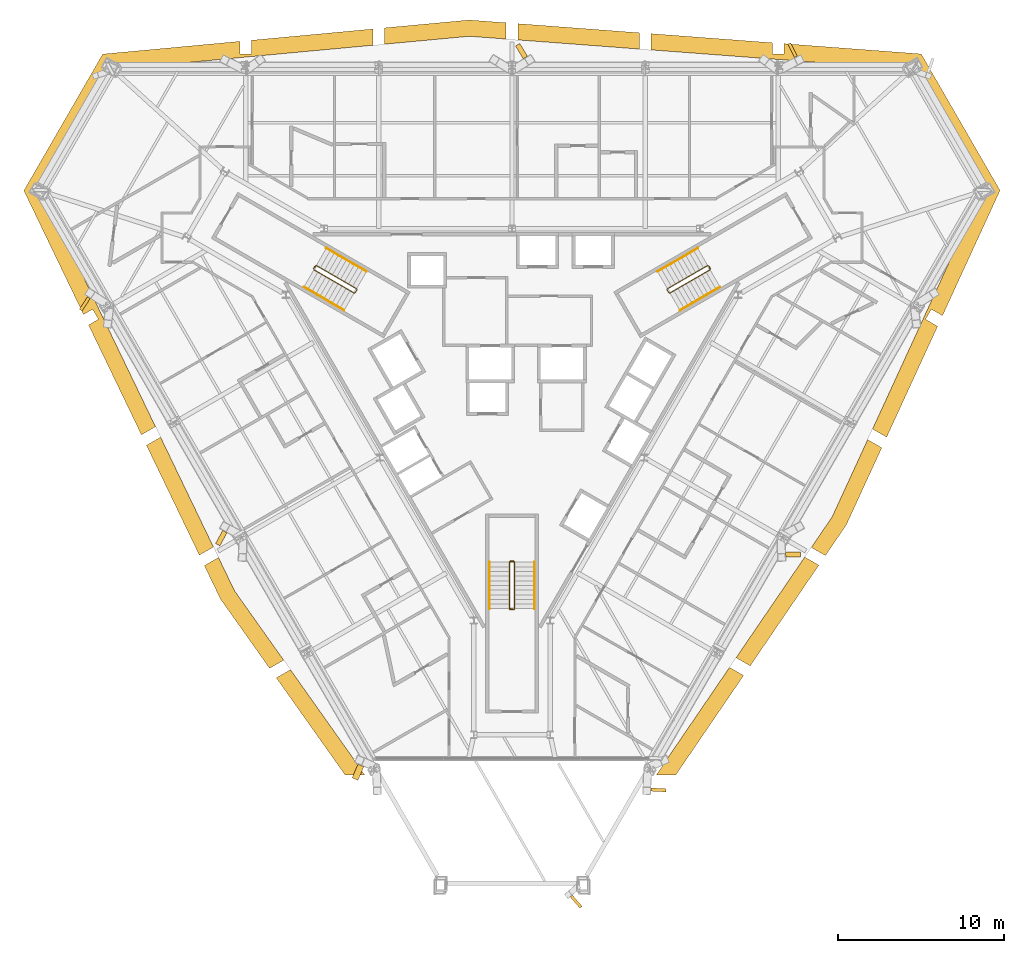
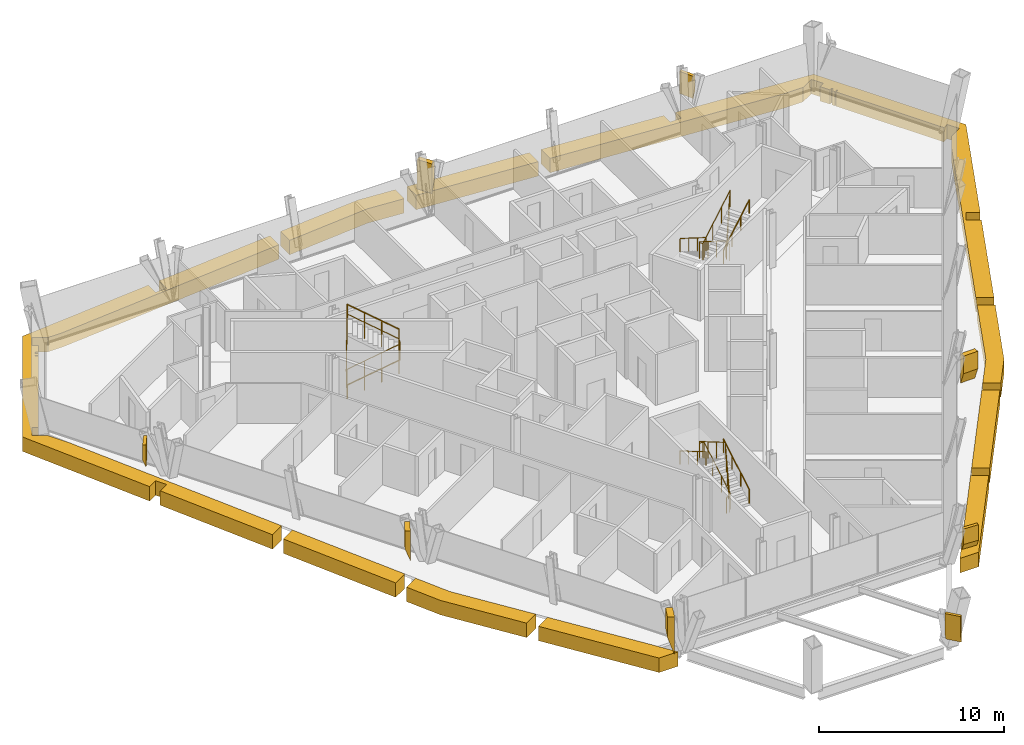
# One storey, part 14 of 15: 18 coverings, 9 railings.
"""IFC4 building model written with IfcOpenShell, lengths in metres."""

from ifc_helpers import new_model, si_unit, direction, frame, origin, origin_2d, place, context, subcontext, project, spatial, polyline, circle, outline, extrude, material, layer, layer_set, type_object, element, save


model = new_model("IFC4")

# Units and contexts
model_context = context("Model", 3, precision=1e-05, world=origin(), true_north=direction((0.0, 1.0)))
body_context = subcontext(model_context, "Body", "Model", "MODEL_VIEW")
ifc_project = project(units=[si_unit("LENGTHUNIT", "METRE"), si_unit("AREAUNIT", "SQUARE_METRE"), si_unit("VOLUMEUNIT", "CUBIC_METRE"), si_unit("PLANEANGLEUNIT", "RADIAN"), si_unit("MASSUNIT", "GRAM", prefix="KILO")], contexts=[model_context])

# Site, building, storey
site_placement = place(None, origin())
site = spatial("IfcSite", under=ifc_project, at=site_placement, CompositionType="ELEMENT")
building_placement = place(site_placement, origin())
building = spatial("IfcBuilding", under=site, at=building_placement, Name="Verrane Prism Tower", CompositionType="ELEMENT")
storey_placement = place(building_placement, frame((0.0, 0.0, 118.0)))
storey = spatial("IfcBuildingStorey", under=building, at=storey_placement, Name="L28", CompositionType="ELEMENT", Elevation=118.0)

# Railings
ifc_material_1 = material(Name="Steel A36 rail and posts, no infill", Category="steel")
railing_type_1 = type_object("IfcRailingType", Name="Stair guard 1100 steel rail and posts", PredefinedType="GUARDRAIL", material=ifc_material_1)
railing_1_placement = place(storey_placement, frame((11.78955078125, 6.97998046875, 0.16357421875)))
element("IfcRailing", 1, at=railing_1_placement, inside=storey, type_object=railing_type_1, Name="Stair 1 guard", PredefinedType="GUARDRAIL", context=body_context, shape_type="SweptSolid", body=[
    extrude(circle(Radius=0.02392578125, at=origin_2d()), frame((0.0, 0.0, 1.076171875), z_axis=(-0.747665513933, -0.431721881032, 0.504591415616), x_axis=(0.500049511043, -0.865996816683, 0.0)), (0.0, 0.0, 1.0), 3.2431640625),
    extrude(circle(Radius=0.02392578125, at=origin_2d()), frame((-2.4248046875, -1.400146484375, 2.71240234375), z_axis=(-0.259601060869, -0.965715946433, 0.0), x_axis=(0.965715946433, -0.259601060869, 0.0)), (0.0, 0.0, 1.0), 0.070556640625),
    extrude(circle(Radius=0.02392578125, at=origin_2d()), frame((-2.443115234375, -1.46826171875, 2.71240234375), z_axis=(0.499158860599, -0.866510491504, 0.0), x_axis=(0.866510491504, 0.499158860599, 0.0)), (0.0, 0.0, 1.0), 0.199951171875),
    extrude(circle(Radius=0.02392578125, at=origin_2d()), frame((-2.34326171875, -1.6416015625, 2.71240234375), z_axis=(0.383552647116, -0.102737316192, 0.917786691313), x_axis=(0.258736085224, 0.965948051503, 0.0)), (0.0, 0.0, 1.0), 0.17822265625),
    extrude(circle(Radius=0.02392578125, at=origin_2d()), frame((-2.27490234375, -1.659912109375, 2.8759765625), z_axis=(0.747665513933, 0.431721881032, 0.504591415616), x_axis=(-0.500049511043, 0.865996816683, 0.0)), (0.0, 0.0, 1.0), 3.2431640625),
    extrude(circle(Radius=0.02392578125, at=origin_2d()), frame((0.14990234375, -0.259765625, 4.5126953125), z_axis=(-0.022593669287, 0.066901613547, -0.997503734436), x_axis=(-0.947430582667, -0.3199613899, 0.0)), (0.0, 0.0, 1.0), 3.609130859375),
    extrude(circle(Radius=0.02392578125, at=origin_2d()), frame((0.068359375, -0.018310546875, 0.91259765625), z_axis=(0.499158860599, -0.866510491504, 0.0), x_axis=(0.866510491504, 0.499158860599, 0.0)), (0.0, 0.0, 1.0), 0.199951171875),
    extrude(circle(Radius=0.02099609375, at=origin_2d()), origin(), (0.0, 0.0, 1.0), 1.052001953125),
    extrude(circle(Radius=0.02099609375, at=origin_2d()), frame((-0.808349609375, -0.466796875, 0.54541015625)), (0.0, 0.0, 1.0), 1.052001953125),
    extrude(circle(Radius=0.02099609375, at=origin_2d()), frame((-1.616455078125, -0.933349609375, 1.091064453125)), (0.0, 0.0, 1.0), 1.052001953125),
    extrude(circle(Radius=0.02099609375, at=origin_2d()), frame((-2.4248046875, -1.400146484375, 1.636474609375)), (0.0, 0.0, 1.0), 1.052001953125),
    extrude(circle(Radius=0.02099609375, at=origin_2d()), frame((-2.443115234375, -1.46826171875, 1.636474609375)), (0.0, 0.0, 1.0), 1.052001953125),
    extrude(circle(Radius=0.02099609375, at=origin_2d()), frame((-2.34326171875, -1.6416015625, 1.636474609375)), (0.0, 0.0, 1.0), 1.052001953125),
    extrude(circle(Radius=0.02099609375, at=origin_2d()), frame((-2.27490234375, -1.659912109375, 1.800048828125)), (0.0, 0.0, 1.0), 1.052001953125),
    extrude(circle(Radius=0.02099609375, at=origin_2d()), frame((-1.466552734375, -1.193115234375, 2.345458984375)), (0.0, 0.0, 1.0), 1.052001953125),
    extrude(circle(Radius=0.02099609375, at=origin_2d()), frame((-0.658447265625, -0.7265625, 2.89111328125)), (0.0, 0.0, 1.0), 1.052001953125),
    extrude(circle(Radius=0.02099609375, at=origin_2d()), frame((0.14990234375, -0.259765625, 3.4365234375)), (0.0, 0.0, 1.0), 1.052001953125),
    extrude(circle(Radius=0.02099609375, at=origin_2d()), frame((0.12939453125, -0.199462890625, 2.53662109375)), (0.0, 0.0, 1.0), 1.052001953125),
    extrude(circle(Radius=0.02099609375, at=origin_2d()), frame((0.109130859375, -0.13916015625, 1.636474609375)), (0.0, 0.0, 1.0), 1.052001953125),
    extrude(circle(Radius=0.02099609375, at=origin_2d()), frame((0.0888671875, -0.07861328125, 0.736328125)), (0.0, 0.0, 1.0), 1.052001953125),
    extrude(circle(Radius=0.02099609375, at=origin_2d()), frame((0.068359375, -0.018310546875, -0.16357421875)), (0.0, 0.0, 1.0), 1.052001953125),
    extrude(circle(Radius=0.02099609375, at=origin_2d()), frame((0.168212890625, -0.191650390625, -0.16357421875)), (0.0, 0.0, 1.0), 1.052001953125),
])
railing_2_placement = place(storey_placement, frame((-11.939453125, 6.72021484375, 0.16357421875)))
element("IfcRailing", 2, at=railing_2_placement, inside=storey, type_object=railing_type_1, Name="Stair 2 guard", PredefinedType="GUARDRAIL", context=body_context, shape_type="SweptSolid", body=[
    extrude(circle(Radius=0.02392578125, at=origin_2d()), frame((0.0, 0.0, 1.076171875), z_axis=(0.747665513933, -0.431721881032, 0.504591415616), x_axis=(0.500049511043, 0.865996816683, 0.0)), (0.0, 0.0, 1.0), 3.2431640625),
    extrude(circle(Radius=0.02392578125, at=origin_2d()), frame((2.4248046875, -1.400146484375, 2.71240234375), z_axis=(0.965948051503, 0.258736085224, 0.0), x_axis=(-0.258736085224, 0.965948051503, 0.0)), (0.0, 0.0, 1.0), 0.07080078125),
    extrude(circle(Radius=0.02392578125, at=origin_2d()), frame((2.4931640625, -1.3818359375, 2.71240234375), z_axis=(0.499158860599, 0.866510491504, 0.0), x_axis=(-0.866510491504, 0.499158860599, 0.0)), (0.0, 0.0, 1.0), 0.199951171875),
    extrude(circle(Radius=0.02392578125, at=origin_2d()), frame((2.593017578125, -1.20849609375, 2.71240234375), z_axis=(-0.102791240646, 0.382383415203, 0.918268416436), x_axis=(-0.965715946433, -0.259601060869, 0.0)), (0.0, 0.0, 1.0), 0.17822265625),
    extrude(circle(Radius=0.02392578125, at=origin_2d()), frame((2.57470703125, -1.140380859375, 2.8759765625), z_axis=(-0.747665513933, 0.431721881032, 0.504591415616), x_axis=(-0.500049511043, -0.865996816683, 0.0)), (0.0, 0.0, 1.0), 3.2431640625),
    extrude(circle(Radius=0.02392578125, at=origin_2d()), frame((0.14990234375, 0.259765625, 4.5126953125), z_axis=(-0.046607763296, -0.053101733218, -0.99750083826), x_axis=(0.751567565678, -0.659656118156, 0.0)), (0.0, 0.0, 1.0), 3.609130859375),
    extrude(circle(Radius=0.02392578125, at=origin_2d()), frame((-0.018310546875, 0.068115234375, 0.91259765625), z_axis=(0.499158860599, 0.866510491504, 0.0), x_axis=(-0.866510491504, 0.499158860599, 0.0)), (0.0, 0.0, 1.0), 0.199951171875),
    extrude(circle(Radius=0.02099609375, at=origin_2d()), origin(), (0.0, 0.0, 1.0), 1.052001953125),
    extrude(circle(Radius=0.02099609375, at=origin_2d()), frame((0.808349609375, -0.466796875, 0.54541015625)), (0.0, 0.0, 1.0), 1.052001953125),
    extrude(circle(Radius=0.02099609375, at=origin_2d()), frame((1.616455078125, -0.933349609375, 1.091064453125)), (0.0, 0.0, 1.0), 1.052001953125),
    extrude(circle(Radius=0.02099609375, at=origin_2d()), frame((2.4248046875, -1.400146484375, 1.636474609375)), (0.0, 0.0, 1.0), 1.052001953125),
    extrude(circle(Radius=0.02099609375, at=origin_2d()), frame((2.4931640625, -1.3818359375, 1.636474609375)), (0.0, 0.0, 1.0), 1.052001953125),
    extrude(circle(Radius=0.02099609375, at=origin_2d()), frame((2.593017578125, -1.20849609375, 1.636474609375)), (0.0, 0.0, 1.0), 1.052001953125),
    extrude(circle(Radius=0.02099609375, at=origin_2d()), frame((2.57470703125, -1.140380859375, 1.800048828125)), (0.0, 0.0, 1.0), 1.052001953125),
    extrude(circle(Radius=0.02099609375, at=origin_2d()), frame((1.766357421875, -0.673583984375, 2.345458984375)), (0.0, 0.0, 1.0), 1.052001953125),
    extrude(circle(Radius=0.02099609375, at=origin_2d()), frame((0.958251953125, -0.20703125, 2.89111328125)), (0.0, 0.0, 1.0), 1.052001953125),
    extrude(circle(Radius=0.02099609375, at=origin_2d()), frame((0.14990234375, 0.259765625, 3.4365234375)), (0.0, 0.0, 1.0), 1.052001953125),
    extrude(circle(Radius=0.02099609375, at=origin_2d()), frame((0.10791015625, 0.2119140625, 2.53662109375)), (0.0, 0.0, 1.0), 1.052001953125),
    extrude(circle(Radius=0.02099609375, at=origin_2d()), frame((0.06591796875, 0.1640625, 1.636474609375)), (0.0, 0.0, 1.0), 1.052001953125),
    extrude(circle(Radius=0.02099609375, at=origin_2d()), frame((0.023681640625, 0.115966796875, 0.736328125)), (0.0, 0.0, 1.0), 1.052001953125),
    extrude(circle(Radius=0.02099609375, at=origin_2d()), frame((-0.018310546875, 0.068115234375, -0.16357421875)), (0.0, 0.0, 1.0), 1.052001953125),
    extrude(circle(Radius=0.02099609375, at=origin_2d()), frame((0.08154296875, 0.241455078125, -0.16357421875)), (0.0, 0.0, 1.0), 1.052001953125),
])
railing_3_placement = place(storey_placement, frame((0.14990234375, -13.699951171875, 0.16357421875)))
element("IfcRailing", 3, at=railing_3_placement, inside=storey, type_object=railing_type_1, Name="Stair 3 guard", PredefinedType="GUARDRAIL", context=body_context, shape_type="SweptSolid", body=[
    extrude(circle(Radius=0.02392578125, at=origin_2d()), frame((0.0, 0.0, 1.076171875), z_axis=(0.0, 0.863360870873, 0.504586966384), x_axis=(-1.0, 0.0, 0.0)), (0.0, 0.0, 1.0), 3.2431640625),
    extrude(circle(Radius=0.02392578125, at=origin_2d()), frame((0.0, 2.800048828125, 2.71240234375), z_axis=(-0.707106781187, 0.707106781187, 0.0), x_axis=(-0.707106781187, -0.707106781187, 0.0)), (0.0, 0.0, 1.0), 0.0703125),
    extrude(circle(Radius=0.02392578125, at=origin_2d()), frame((-0.0498046875, 2.849853515625, 2.71240234375), z_axis=(-1.0, 0.0, 0.0), x_axis=(0.0, -1.0, 0.0)), (0.0, 0.0, 1.0), 0.2001953125),
    extrude(circle(Radius=0.02392578125, at=origin_2d()), frame((-0.25, 2.849853515625, 2.71240234375), z_axis=(-0.279653641804, -0.279653641804, 0.918470294159), x_axis=(0.707106781187, -0.707106781187, 0.0)), (0.0, 0.0, 1.0), 0.177978515625),
    extrude(circle(Radius=0.02392578125, at=origin_2d()), frame((-0.2998046875, 2.800048828125, 2.8759765625), z_axis=(0.0, -0.863360870873, 0.504586966384), x_axis=(1.0, 0.0, 0.0)), (0.0, 0.0, 1.0), 3.2431640625),
    extrude(circle(Radius=0.02392578125, at=origin_2d()), frame((-0.2998046875, 0.0, 4.5126953125), z_axis=(0.069269067181, -0.013867342551, -0.997501625634), x_axis=(0.196300278283, 0.98054382908, 0.0)), (0.0, 0.0, 1.0), 3.609130859375),
    extrude(circle(Radius=0.02392578125, at=origin_2d()), frame((-0.0498046875, -0.050048828125, 0.91259765625), z_axis=(-1.0, 0.0, 0.0), x_axis=(0.0, -1.0, 0.0)), (0.0, 0.0, 1.0), 0.2001953125),
    extrude(circle(Radius=0.02099609375, at=origin_2d()), origin(), (0.0, 0.0, 1.0), 1.052001953125),
    extrude(circle(Radius=0.02099609375, at=origin_2d()), frame((0.0, 0.933349609375, 0.54541015625)), (0.0, 0.0, 1.0), 1.052001953125),
    extrude(circle(Radius=0.02099609375, at=origin_2d()), frame((0.0, 1.86669921875, 1.091064453125)), (0.0, 0.0, 1.0), 1.052001953125),
    extrude(circle(Radius=0.02099609375, at=origin_2d()), frame((0.0, 2.800048828125, 1.636474609375)), (0.0, 0.0, 1.0), 1.052001953125),
    extrude(circle(Radius=0.02099609375, at=origin_2d()), frame((-0.0498046875, 2.849853515625, 1.636474609375)), (0.0, 0.0, 1.0), 1.052001953125),
    extrude(circle(Radius=0.02099609375, at=origin_2d()), frame((-0.25, 2.849853515625, 1.636474609375)), (0.0, 0.0, 1.0), 1.052001953125),
    extrude(circle(Radius=0.02099609375, at=origin_2d()), frame((-0.2998046875, 2.800048828125, 1.800048828125)), (0.0, 0.0, 1.0), 1.052001953125),
    extrude(circle(Radius=0.02099609375, at=origin_2d()), frame((-0.2998046875, 1.86669921875, 2.345458984375)), (0.0, 0.0, 1.0), 1.052001953125),
    extrude(circle(Radius=0.02099609375, at=origin_2d()), frame((-0.2998046875, 0.933349609375, 2.89111328125)), (0.0, 0.0, 1.0), 1.052001953125),
    extrude(circle(Radius=0.02099609375, at=origin_2d()), frame((-0.2998046875, 0.0, 3.4365234375)), (0.0, 0.0, 1.0), 1.052001953125),
    extrude(circle(Radius=0.02099609375, at=origin_2d()), frame((-0.2373046875, -0.012451171875, 2.53662109375)), (0.0, 0.0, 1.0), 1.052001953125),
    extrude(circle(Radius=0.02099609375, at=origin_2d()), frame((-0.1748046875, -0.02490234375, 1.636474609375)), (0.0, 0.0, 1.0), 1.052001953125),
    extrude(circle(Radius=0.02099609375, at=origin_2d()), frame((-0.1123046875, -0.03759765625, 0.736328125)), (0.0, 0.0, 1.0), 1.052001953125),
    extrude(circle(Radius=0.02099609375, at=origin_2d()), frame((-0.0498046875, -0.050048828125, -0.16357421875)), (0.0, 0.0, 1.0), 1.052001953125),
    extrude(circle(Radius=0.02099609375, at=origin_2d()), frame((-0.25, -0.050048828125, -0.16357421875)), (0.0, 0.0, 1.0), 1.052001953125),
])
ifc_material_2 = material(Name="Steel A36 tube", Category="steel")
railing_type_2 = type_object("IfcRailingType", Name="Stair handrail 900 steel tube", PredefinedType="HANDRAIL", material=ifc_material_2)
railing_4_placement = place(storey_placement, frame((11.189453125, 8.01904296875, 0.16357421875)))
element("IfcRailing", 4, at=railing_4_placement, inside=storey, type_object=railing_type_2, Name="Stair 1 handrail", PredefinedType="HANDRAIL", context=body_context, shape_type="SweptSolid", body=[
    extrude(circle(Radius=0.02392578125, at=origin_2d()), frame((0.0, 0.0, 0.8759765625), z_axis=(-0.747689811644, -0.431660630283, 0.504607813879), x_axis=(0.49998411664, -0.866034573852, 0.0)), (0.0, 0.0, 1.0), 3.2431640625),
    extrude(circle(Radius=0.02099609375, at=origin_2d()), origin(), (0.0, 0.0, 1.0), 0.851806640625),
    extrude(circle(Radius=0.02099609375, at=origin_2d()), frame((-0.808349609375, -0.466552734375, 0.54541015625)), (0.0, 0.0, 1.0), 0.851806640625),
    extrude(circle(Radius=0.02099609375, at=origin_2d()), frame((-1.616455078125, -0.933349609375, 1.091064453125)), (0.0, 0.0, 1.0), 0.851806640625),
    extrude(circle(Radius=0.02099609375, at=origin_2d()), frame((-2.4248046875, -1.39990234375, 1.636474609375)), (0.0, 0.0, 1.0), 0.851806640625),
])
railing_5_placement = place(storey_placement, frame((10.11474609375, 4.28076171875, 1.963623046875)))
element("IfcRailing", 5, at=railing_5_placement, inside=storey, type_object=railing_type_2, Name="Stair 1 handrail", PredefinedType="HANDRAIL", context=body_context, shape_type="SweptSolid", body=[
    extrude(circle(Radius=0.02392578125, at=origin_2d()), frame((0.0, 0.0, 0.8759765625), z_axis=(0.747665513933, 0.431721881032, 0.504591415616), x_axis=(-0.500049511043, 0.865996816683, 0.0)), (0.0, 0.0, 1.0), 3.2431640625),
    extrude(circle(Radius=0.02099609375, at=origin_2d()), origin(), (0.0, 0.0, 1.0), 0.851806640625),
    extrude(circle(Radius=0.02099609375, at=origin_2d()), frame((0.808349609375, 0.466796875, 0.54541015625)), (0.0, 0.0, 1.0), 0.851806640625),
    extrude(circle(Radius=0.02099609375, at=origin_2d()), frame((1.616455078125, 0.933349609375, 1.091064453125)), (0.0, 0.0, 1.0), 0.851806640625),
    extrude(circle(Radius=0.02099609375, at=origin_2d()), frame((2.4248046875, 1.400146484375, 1.636474609375)), (0.0, 0.0, 1.0), 0.851806640625),
])
railing_6_placement = place(storey_placement, frame((-12.53955078125, 5.680908203125, 0.16357421875)))
element("IfcRailing", 6, at=railing_6_placement, inside=storey, type_object=railing_type_2, Name="Stair 2 handrail", PredefinedType="HANDRAIL", context=body_context, shape_type="SweptSolid", body=[
    extrude(circle(Radius=0.02392578125, at=origin_2d()), frame((0.0, 0.0, 0.8759765625), z_axis=(0.747665513933, -0.431721881032, 0.504591415616), x_axis=(0.500049511043, 0.865996816683, 0.0)), (0.0, 0.0, 1.0), 3.2431640625),
    extrude(circle(Radius=0.02099609375, at=origin_2d()), origin(), (0.0, 0.0, 1.0), 0.851806640625),
    extrude(circle(Radius=0.02099609375, at=origin_2d()), frame((0.808349609375, -0.466796875, 0.54541015625)), (0.0, 0.0, 1.0), 0.851806640625),
    extrude(circle(Radius=0.02099609375, at=origin_2d()), frame((1.616455078125, -0.933349609375, 1.091064453125)), (0.0, 0.0, 1.0), 0.851806640625),
    extrude(circle(Radius=0.02099609375, at=origin_2d()), frame((2.4248046875, -1.400146484375, 1.636474609375)), (0.0, 0.0, 1.0), 0.851806640625),
])
railing_7_placement = place(storey_placement, frame((-8.7646484375, 6.619140625, 1.963623046875)))
element("IfcRailing", 7, at=railing_7_placement, inside=storey, type_object=railing_type_2, Name="Stair 2 handrail", PredefinedType="HANDRAIL", context=body_context, shape_type="SweptSolid", body=[
    extrude(circle(Radius=0.02392578125, at=origin_2d()), frame((0.0, 0.0, 0.8759765625), z_axis=(-0.747689811644, 0.431660630283, 0.504607813879), x_axis=(-0.49998411664, -0.866034573852, 0.0)), (0.0, 0.0, 1.0), 3.2431640625),
    extrude(circle(Radius=0.02099609375, at=origin_2d()), origin(), (0.0, 0.0, 1.0), 0.851806640625),
    extrude(circle(Radius=0.02099609375, at=origin_2d()), frame((-0.808349609375, 0.466552734375, 0.54541015625)), (0.0, 0.0, 1.0), 0.851806640625),
    extrude(circle(Radius=0.02099609375, at=origin_2d()), frame((-1.616455078125, 0.933349609375, 1.091064453125)), (0.0, 0.0, 1.0), 0.851806640625),
    extrude(circle(Radius=0.02099609375, at=origin_2d()), frame((-2.4248046875, 1.39990234375, 1.636474609375)), (0.0, 0.0, 1.0), 0.851806640625),
])
railing_8_placement = place(storey_placement, frame((1.35009765625, -13.699951171875, 0.16357421875)))
element("IfcRailing", 8, at=railing_8_placement, inside=storey, type_object=railing_type_2, Name="Stair 3 handrail", PredefinedType="HANDRAIL", context=body_context, shape_type="SweptSolid", body=[
    extrude(circle(Radius=0.02392578125, at=origin_2d()), frame((0.0, 0.0, 0.8759765625), z_axis=(0.0, 0.863360870873, 0.504586966384), x_axis=(-1.0, 0.0, 0.0)), (0.0, 0.0, 1.0), 3.2431640625),
    extrude(circle(Radius=0.02099609375, at=origin_2d()), origin(), (0.0, 0.0, 1.0), 0.851806640625),
    extrude(circle(Radius=0.02099609375, at=origin_2d()), frame((0.0, 0.933349609375, 0.54541015625)), (0.0, 0.0, 1.0), 0.851806640625),
    extrude(circle(Radius=0.02099609375, at=origin_2d()), frame((0.0, 1.86669921875, 1.091064453125)), (0.0, 0.0, 1.0), 0.851806640625),
    extrude(circle(Radius=0.02099609375, at=origin_2d()), frame((0.0, 2.800048828125, 1.636474609375)), (0.0, 0.0, 1.0), 0.851806640625),
])
railing_9_placement = place(storey_placement, frame((-1.35009765625, -10.89990234375, 1.963623046875)))
element("IfcRailing", 9, at=railing_9_placement, inside=storey, type_object=railing_type_2, Name="Stair 3 handrail", PredefinedType="HANDRAIL", context=body_context, shape_type="SweptSolid", body=[
    extrude(circle(Radius=0.02392578125, at=origin_2d()), frame((0.0, 0.0, 0.8759765625), z_axis=(0.0, -0.863360870873, 0.504586966384), x_axis=(1.0, 0.0, 0.0)), (0.0, 0.0, 1.0), 3.2431640625),
    extrude(circle(Radius=0.02099609375, at=origin_2d()), origin(), (0.0, 0.0, 1.0), 0.851806640625),
    extrude(circle(Radius=0.02099609375, at=origin_2d()), frame((0.0, -0.933349609375, 0.54541015625)), (0.0, 0.0, 1.0), 0.851806640625),
    extrude(circle(Radius=0.02099609375, at=origin_2d()), frame((0.0, -1.86669921875, 1.091064453125)), (0.0, 0.0, 1.0), 0.851806640625),
    extrude(circle(Radius=0.02099609375, at=origin_2d()), frame((0.0, -2.800048828125, 1.636474609375)), (0.0, 0.0, 1.0), 0.851806640625),
])

# Coverings
ifc_material_3 = material(Name="Warm limestone cladding", Category="masonry")
ifc_layer_1 = layer(ifc_material_3, 0.89990234375)
ifc_layer_set_1 = layer_set([ifc_layer_1], Name="Stone brace fin 900")
covering_type_1 = type_object("IfcCoveringType", Name="Stone brace fin 900", PredefinedType="CLADDING", material=ifc_layer_set_1)
covering_1_placement = place(storey_placement, frame((16.822021484375, 19.911376953125, 1.18701171875), z_axis=(0.0, 0.0, 1.0), x_axis=(0.891359044092, 0.453297975414, 0.0)))
element("IfcCovering", 10, at=covering_1_placement, inside=storey, type_object=covering_type_1, Name="Stone brace fin N1 L28", PredefinedType="CLADDING", context=body_context, shape_type="SweptSolid", body=[
    extrude(outline(polyline([(0.192138671875, 1.462890625), (0.0, 1.462890625), (0.0, 0.0), (0.192138671875, 0.444580078125), (0.192138671875, 1.462890625)])), frame((0.0, 0.449951171875, 0.0), z_axis=(0.0, -1.0, 0.0), x_axis=(1.0, 0.0, 0.0)), (0.0, 0.0, 1.0), 0.89990234375),
])
covering_2_placement = place(storey_placement, frame((0.446044921875, 19.818115234375, 0.7021484375), z_axis=(0.0, 0.0, 1.0), x_axis=(0.854955977966, 0.518700564623, 0.0)))
element("IfcCovering", 11, at=covering_2_placement, inside=storey, type_object=covering_type_1, Name="Stone brace fin N3 L28", PredefinedType="CLADDING", context=body_context, shape_type="SweptSolid", body=[
    extrude(outline(polyline([(0.298583984375, 1.94775390625), (0.0, 1.94775390625), (0.0, 0.0), (0.298583984375, 0.7900390625), (0.298583984375, 1.94775390625)])), frame((0.0, 0.449951171875, 0.0), z_axis=(0.0, -1.0, 0.0), x_axis=(1.0, 0.0, 0.0)), (0.0, 0.0, 1.0), 0.89990234375),
])
covering_3_placement = place(storey_placement, frame((-25.66015625, 4.614013671875, 1.18505859375), z_axis=(0.0, 0.0, 1.0), x_axis=(-0.838647085265, 0.544675193465, 0.0)))
element("IfcCovering", 12, at=covering_3_placement, inside=storey, type_object=covering_type_1, Name="Stone brace fin SW1 L28", PredefinedType="CLADDING", context=body_context, shape_type="SweptSolid", body=[
    extrude(outline(polyline([(0.191650390625, 1.46484375), (0.0, 1.46484375), (0.0, 0.0), (0.191650390625, 0.4443359375), (0.191650390625, 1.46484375)])), frame((0.0, 0.449951171875, 0.0), z_axis=(0.0, -1.0, 0.0), x_axis=(1.0, 0.0, 0.0)), (0.0, 0.0, 1.0), 0.89990234375),
])
covering_4_placement = place(storey_placement, frame((-17.38427734375, -9.51904296875, 0.704345703125), z_axis=(0.0, 0.0, 1.0), x_axis=(-0.878207301749, 0.478280184782, 0.0)))
element("IfcCovering", 13, at=covering_4_placement, inside=storey, type_object=covering_type_1, Name="Stone brace fin SW3 L28", PredefinedType="CLADDING", context=body_context, shape_type="SweptSolid", body=[
    extrude(outline(polyline([(0.299072265625, 1.945556640625), (0.0, 1.945556640625), (0.0, 0.0), (0.299072265625, 0.7900390625), (0.299072265625, 1.945556640625)])), frame((0.0, 0.449951171875, 0.0), z_axis=(0.0, -1.0, 0.0), x_axis=(1.0, 0.0, 0.0)), (0.0, 0.0, 1.0), 0.89990234375),
])
covering_5_placement = place(storey_placement, frame((-9.1044921875, -23.632080078125, 0.12890625), z_axis=(0.0, 0.0, 1.0), x_axis=(-0.91937349926, 0.393385776126, 0.0)))
element("IfcCovering", 14, at=covering_5_placement, inside=storey, type_object=covering_type_1, Name="Stone brace fin SW5 L28", PredefinedType="CLADDING", context=body_context, shape_type="SweptSolid", body=[
    extrude(outline(polyline([(0.386474609375, 2.52099609375), (0.0, 2.52099609375), (0.0, 0.0), (0.386474609375, 1.185302734375), (0.386474609375, 2.52099609375)])), frame((0.0, 0.449951171875, 0.0), z_axis=(0.0, -1.0, 0.0), x_axis=(1.0, 0.0, 0.0)), (0.0, 0.0, 1.0), 0.89990234375),
])
covering_6_placement = place(storey_placement, frame((8.829345703125, -24.5263671875, 1.185302734375), z_axis=(0.0, 0.0, 1.0), x_axis=(-0.053426769871, -0.99857177021, 0.0)))
element("IfcCovering", 15, at=covering_6_placement, inside=storey, type_object=covering_type_1, Name="Stone brace fin SE1 L28", PredefinedType="CLADDING", context=body_context, shape_type="SweptSolid", body=[
    extrude(outline(polyline([(0.19189453125, 1.464599609375), (0.0, 1.464599609375), (0.0, 0.0), (0.19189453125, 0.4443359375), (0.19189453125, 1.464599609375)])), frame((0.0, 0.449951171875, 0.0), z_axis=(0.0, -1.0, 0.0), x_axis=(1.0, 0.0, 0.0)), (0.0, 0.0, 1.0), 0.89990234375),
])
covering_7_placement = place(storey_placement, frame((16.939453125, -10.288818359375, 0.702880859375), z_axis=(0.0, 0.0, 1.0), x_axis=(0.025339367218, -0.999678906684, 0.0)))
element("IfcCovering", 16, at=covering_7_placement, inside=storey, type_object=covering_type_1, Name="Stone brace fin SE3 L28", PredefinedType="CLADDING", context=body_context, shape_type="SweptSolid", body=[
    extrude(outline(polyline([(0.298583984375, 1.947021484375), (0.0, 1.947021484375), (0.0, 0.0), (0.298583984375, 0.7900390625), (0.298583984375, 1.947021484375)])), frame((0.0, 0.449951171875, 0.0), z_axis=(0.0, -1.0, 0.0), x_axis=(1.0, 0.0, 0.0)), (0.0, 0.0, 1.0), 0.89990234375),
])
covering_8_placement = place(storey_placement, frame((3.93310546875, -31.301025390625, 0.85302734375), z_axis=(0.0, 0.0, 1.0), x_axis=(-0.756061291787, -0.654500819756, 0.0)))
element("IfcCovering", 17, at=covering_8_placement, inside=storey, type_object=covering_type_1, Name="Stone brace fin S1 L28", PredefinedType="CLADDING", context=body_context, shape_type="SweptSolid", body=[
    extrude(outline(polyline([(0.173095703125, 1.796875), (0.0, 1.796875), (0.0, 0.0), (0.173095703125, 0.50830078125), (0.173095703125, 1.796875)])), frame((0.0, 0.449951171875, 0.0), z_axis=(0.0, -1.0, 0.0), x_axis=(1.0, 0.0, 0.0)), (0.0, 0.0, 1.0), 0.89990234375),
])
ifc_material_4 = material(Name="Warm limestone cladding", Category="masonry")
ifc_layer_2 = layer(ifc_material_4, 0.449951171875)
ifc_layer_set_2 = layer_set([ifc_layer_2], Name="Stone spandrel band 450")
covering_type_2 = type_object("IfcCoveringType", Name="Stone spandrel band 450", PredefinedType="CLADDING", material=ifc_layer_set_2)
covering_9_placement = place(storey_placement, frame((0.0, 0.0, -0.949951171875)))
element("IfcCovering", 18, at=covering_9_placement, inside=storey, type_object=covering_type_2, Name="Stone spandrel band L28 part 1", PredefinedType="CLADDING", context=body_context, shape_type="SweptSolid", body=[
    extrude(outline(polyline([(8.372314453125, 19.968505859375), (22.29150390625, 18.92333984375), (23.541015625, 18.92333984375), (24.295654296875, 19.359130859375), (24.67578125, 18.700927734375), (24.373291015625, 18.5263671875), (24.6806640625, 17.994384765625), (24.8271484375, 18.0791015625), (24.88525390625, 17.978515625), (24.738525390625, 17.893798828125), (24.839111328125, 17.719970703125), (24.985595703125, 17.8046875), (25.020751953125, 17.743896484375), (24.8740234375, 17.6591796875), (28.231689453125, 11.843505859375), (28.53564453125, 12.01904296875), (28.915771484375, 11.36083984375), (28.1572265625, 10.923095703125), (27.705078125, 10.1396484375), (21.72314453125, -2.874267578125), (22.573974609375, -3.365478515625), (25.645263671875, 3.31640625), (24.91748046875, 3.73681640625), (25.267578125, 4.343017578125), (25.938720703125, 3.955322265625), (29.406005859375, 11.498779296875), (24.65576171875, 19.726806640625), (16.394775390625, 20.346923828125), (16.394775390625, 19.7099609375), (15.69482421875, 19.7099609375), (15.69482421875, 20.3994140625), (8.372314453125, 20.949462890625), (8.372314453125, 19.968505859375)])), origin(), (0.0, 0.0, 1.0), 0.949951171875),
])
covering_10_placement = place(storey_placement, frame((0.0, 0.0, -0.949951171875)))
element("IfcCovering", 19, at=covering_10_placement, inside=storey, type_object=covering_type_2, Name="Stone spandrel band L28 part 2", PredefinedType="CLADDING", context=body_context, shape_type="SweptSolid", body=[
    extrude(outline(polyline([(-29.41162109375, 11.4892578125), (-25.818359375, 4.02490234375), (-25.267578125, 4.343017578125), (-24.91748046875, 3.73681640625), (-25.513916015625, 3.392333984375), (-22.328857421875, -3.22412109375), (-21.4794921875, -2.733642578125), (-27.53369140625, 9.84326171875), (-28.1572265625, 10.923095703125), (-28.915771484375, 11.36083984375), (-28.53564453125, 12.01904296875), (-28.231689453125, 11.843505859375), (-24.8740234375, 17.6591796875), (-25.020751953125, 17.743896484375), (-24.985595703125, 17.8046875), (-24.839111328125, 17.719970703125), (-24.738525390625, 17.893798828125), (-24.88525390625, 17.978515625), (-24.8271484375, 18.0791015625), (-24.6806640625, 17.994384765625), (-24.373291015625, 18.5263671875), (-24.67578125, 18.700927734375), (-24.295654296875, 19.359130859375), (-23.541015625, 18.92333984375), (-22.6337890625, 18.92333984375), (-8.372314453125, 20.25), (-8.372314453125, 21.232421875), (-15.69482421875, 20.55126953125), (-15.69482421875, 19.7099609375), (-16.394775390625, 19.7099609375), (-16.394775390625, 20.486083984375), (-24.661376953125, 19.717041015625), (-29.41162109375, 11.4892578125)])), origin(), (0.0, 0.0, 1.0), 0.949951171875),
])
covering_11_placement = place(storey_placement, frame((0.0, 0.0, -0.949951171875)))
element("IfcCovering", 20, at=covering_11_placement, inside=storey, type_object=covering_type_2, Name="Stone spandrel band L28 part 3", PredefinedType="CLADDING", context=body_context, shape_type="SweptSolid", body=[
    extrude(outline(polyline([(13.95654296875, -17.725341796875), (13.107177734375, -17.235107421875), (9.36083984375, -22.727783203125), (9.373046875, -22.727783203125), (8.69921875, -23.7158203125), (9.870849609375, -23.7158203125), (13.95654296875, -17.725341796875)])), origin(), (0.0, 0.0, 1.0), 0.949951171875),
])
covering_12_placement = place(storey_placement, frame((0.0, 0.0, -0.949951171875)))
element("IfcCovering", 21, at=covering_12_placement, inside=storey, type_object=covering_type_2, Name="Stone spandrel band L28 part 4", PredefinedType="CLADDING", context=body_context, shape_type="SweptSolid", body=[
    extrude(outline(polyline([(-13.350830078125, -17.375732421875), (-14.201416015625, -17.866943359375), (-10.05810546875, -23.7158203125), (-8.87158203125, -23.7158203125), (-9.571533203125, -22.727783203125), (-9.559326171875, -22.727783203125), (-13.350830078125, -17.375732421875)])), origin(), (0.0, 0.0, 1.0), 0.949951171875),
])
covering_13_placement = place(storey_placement, frame((0.0, 0.0, -0.949951171875)))
element("IfcCovering", 22, at=covering_13_placement, inside=storey, type_object=covering_type_2, Name="Stone spandrel band L28 part 5", PredefinedType="CLADDING", context=body_context, shape_type="SweptSolid", body=[
    extrude(outline(polyline([(-21.175048828125, -3.3662109375), (-22.0244140625, -3.8564453125), (-18.83935546875, -10.472900390625), (-17.989990234375, -9.982421875), (-21.175048828125, -3.3662109375)])), origin(), (0.0, 0.0, 1.0), 0.949951171875),
])
covering_14_placement = place(storey_placement, frame((0.0, 0.0, -0.949951171875)))
element("IfcCovering", 23, at=covering_14_placement, inside=storey, type_object=covering_type_2, Name="Stone spandrel band L28 part 6", PredefinedType="CLADDING", context=body_context, shape_type="SweptSolid", body=[
    extrude(outline(polyline([(-17.685546875, -10.614990234375), (-18.534912109375, -11.105224609375), (-17.566650390625, -13.116455078125), (-14.60791015625, -17.293212890625), (-13.757080078125, -16.802001953125), (-16.72119140625, -12.6181640625), (-17.685546875, -10.614990234375)])), origin(), (0.0, 0.0, 1.0), 0.949951171875),
])
covering_15_placement = place(storey_placement, frame((0.0, 0.0, -0.949951171875)))
element("IfcCovering", 24, at=covering_15_placement, inside=storey, type_object=covering_type_2, Name="Stone spandrel band L28 part 7", PredefinedType="CLADDING", context=body_context, shape_type="SweptSolid", body=[
    extrude(outline(polyline([(17.639892578125, -10.588623046875), (13.502685546875, -16.655029296875), (14.35205078125, -17.1455078125), (18.489501953125, -11.0791015625), (17.639892578125, -10.588623046875)])), origin(), (0.0, 0.0, 1.0), 0.949951171875),
])
covering_16_placement = place(storey_placement, frame((0.0, 0.0, -0.949951171875)))
element("IfcCovering", 25, at=covering_16_placement, inside=storey, type_object=covering_type_2, Name="Stone spandrel band L28 part 8", PredefinedType="CLADDING", context=body_context, shape_type="SweptSolid", body=[
    extrude(outline(polyline([(21.4296875, -3.51318359375), (19.288330078125, -8.171875), (18.035400390625, -10.0087890625), (18.885009765625, -10.4990234375), (20.142578125, -8.655029296875), (22.2802734375, -4.004150390625), (21.4296875, -3.51318359375)])), origin(), (0.0, 0.0, 1.0), 0.949951171875),
])
covering_17_placement = place(storey_placement, frame((0.0, 0.0, -0.949951171875)))
element("IfcCovering", 26, at=covering_17_placement, inside=storey, type_object=covering_type_2, Name="Stone spandrel band L28 part 9", PredefinedType="CLADDING", context=body_context, shape_type="SweptSolid", body=[
    extrude(outline(polyline([(0.35009765625, 21.5517578125), (0.35009765625, 20.57080078125), (7.67236328125, 20.02099609375), (7.67236328125, 21.001953125), (0.35009765625, 21.5517578125)])), origin(), (0.0, 0.0, 1.0), 0.949951171875),
])
covering_18_placement = place(storey_placement, frame((0.0, 0.0, -0.949951171875)))
element("IfcCovering", 27, at=covering_18_placement, inside=storey, type_object=covering_type_2, Name="Stone spandrel band L28 part 10", PredefinedType="CLADDING", context=body_context, shape_type="SweptSolid", body=[
    extrude(outline(polyline([(-7.67236328125, 21.29736328125), (-7.67236328125, 20.315185546875), (-2.567138671875, 20.7900390625), (-0.35009765625, 20.62353515625), (-0.35009765625, 21.6044921875), (-2.575927734375, 21.771484375), (-7.67236328125, 21.29736328125)])), origin(), (0.0, 0.0, 1.0), 0.949951171875),
])

save(model, "model.ifc")
